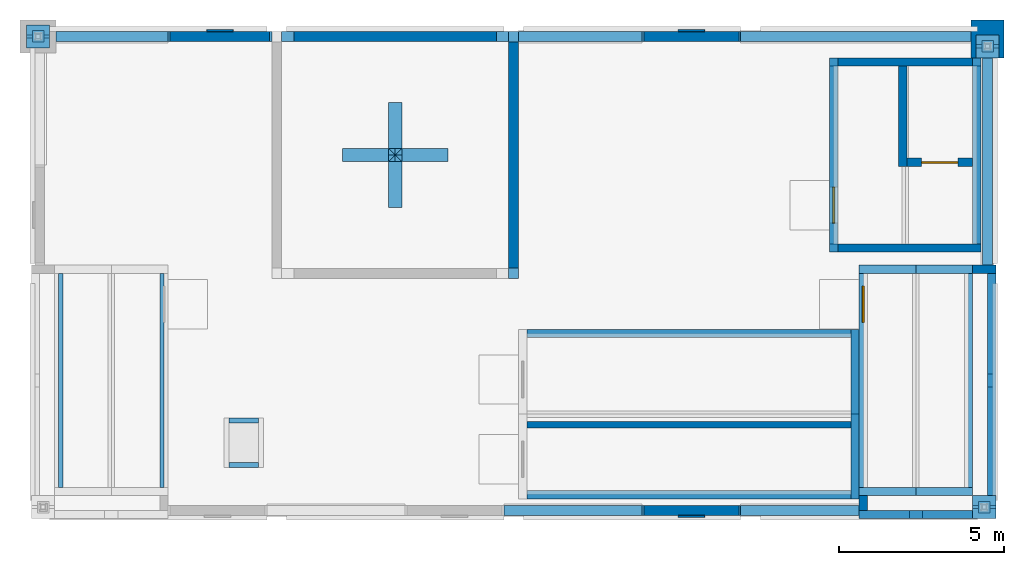
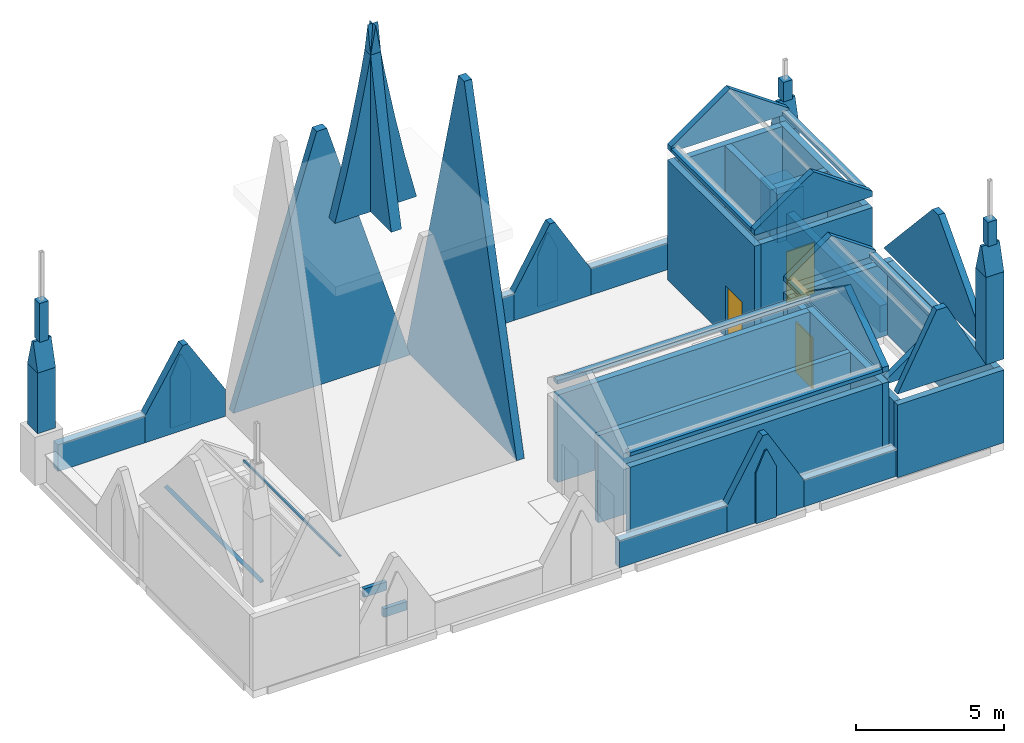
# One storey, part 4 of 10: 55 walls, 3 doors, 2 discrete accessories, 3 openings.
"""IFC4 building model written with IfcOpenShell, lengths in metres."""

from ifc_helpers import new_model, si_unit, direction, frame, frame_2d, origin, place, context, subcontext, project, spatial, polyline, rectangle, outline, extrude, material, layer, layer_set, type_object, element, fill, save


model = new_model("IFC4")

# Units and contexts
model_context = context("Model", 3, precision=1e-05, world=origin(), true_north=direction((0.0, 1.0)))
body_context = subcontext(model_context, "Body", "Model", "MODEL_VIEW")
ifc_project = project(units=[si_unit("LENGTHUNIT", "METRE"), si_unit("AREAUNIT", "SQUARE_METRE"), si_unit("VOLUMEUNIT", "CUBIC_METRE"), si_unit("PLANEANGLEUNIT", "RADIAN"), si_unit("MASSUNIT", "GRAM", prefix="KILO")], contexts=[model_context])

# Site, building, storey
site_placement = place(None, origin())
site = spatial("IfcSite", under=ifc_project, at=site_placement, CompositionType="ELEMENT")
building_placement = place(site_placement, origin())
building = spatial("IfcBuilding", under=site, at=building_placement, Name="Silangan Lancet Faculty of Sciences", CompositionType="ELEMENT")
storey_placement = place(building_placement, frame((0.0, 0.0, 81.300048828125)))
storey = spatial("IfcBuildingStorey", under=building, at=storey_placement, Name="ROOF", CompositionType="ELEMENT", Elevation=81.300048828125)

# Walls
ifc_material_1 = material(Name="Concrete C35/45", Category="concrete")
ifc_layer_1 = layer(ifc_material_1, 0.300048828125)
ifc_layer_set_1 = layer_set([ifc_layer_1], Name="Concrete C35/45")
wall_type_1 = type_object("IfcWallType", Name="Crossing gable wall 300 north-south", PredefinedType="STANDARD", material=ifc_layer_set_1)
wall_1_placement = place(storey_placement, frame((7.35009765625, 14.39990234375, 0.0), z_axis=(0.0, 0.0, 1.0), x_axis=(1.0, 0.0, 0.0)))
element("IfcWall", 1, at=wall_1_placement, inside=storey, type_object=wall_type_1, Name="Crossing gable ST north", PredefinedType="STANDARD", context=body_context, shape_type="SweptSolid", body=[
    extrude(outline(polyline([(0.0, 0.0), (6.89990234375, 0.0), (3.64990234375, 10.5), (3.25, 10.5), (0.0, 0.0)])), frame((0.0, 0.14990234375, 0.0), z_axis=(0.0, -1.0, 0.0), x_axis=(1.0, 0.0, 0.0)), (0.0, 0.0, 1.0), 0.300048828125),
])
ifc_material_2 = material(Name="Concrete C35/45", Category="concrete")
ifc_layer_2 = layer(ifc_material_2, 0.300048828125)
ifc_layer_set_2 = layer_set([ifc_layer_2], Name="Concrete C35/45")
wall_type_2 = type_object("IfcWallType", Name="Crossing gable wall 300 west-east", PredefinedType="STANDARD", material=ifc_layer_set_2)
wall_2_placement = place(storey_placement, frame((14.39990234375, 7.050048828125, 0.0), z_axis=(0.0, 0.0, 1.0), x_axis=(0.0, 1.0, 0.0)))
element("IfcWall", 2, at=wall_2_placement, inside=storey, type_object=wall_type_2, Name="Crossing gable ST east", PredefinedType="STANDARD", context=body_context, shape_type="SweptSolid", body=[
    extrude(outline(polyline([(0.0, 0.0), (7.5, 0.0), (3.949951171875, 13.5), (3.550048828125, 13.5), (0.0, 0.0)])), frame((0.0, 0.14990234375, 0.0), z_axis=(0.0, -1.0, 0.0), x_axis=(1.0, 0.0, 0.0)), (0.0, 0.0, 1.0), 0.300048828125),
])
ifc_material_3 = material(Name="Concrete C35/45 precast", Category="concrete")
ifc_layer_3 = layer(ifc_material_3, 0.39990234375)
ifc_layer_set_3 = layer_set([ifc_layer_3], Name="Concrete C35/45 precast")
wall_type_3 = type_object("IfcWallType", Name="Crown spire blade 400", PredefinedType="STANDARD", material=ifc_layer_set_3)
for number, where, z_axis, x_axis, name in (
    (3, (9.199951171875, 10.800048828125, 9.39990234375), (0.0, 0.0, 1.0), (1.0, 0.0, 0.0), "Crown spire blade ST X"),
    (4, (10.800048828125, 9.199951171875, 9.39990234375), (0.0, 0.0, 1.0), (0.0, 1.0, 0.0), "Crown spire blade ST Y"),
):
    element("IfcWall", number, at=place(storey_placement, frame(where, z_axis=z_axis, x_axis=x_axis)), inside=storey, type_object=wall_type_3, Name=name, PredefinedType="STANDARD", context=body_context, shape_type="SweptSolid", body=[
        extrude(outline(polyline([(0.0, 0.0), (3.199951171875, 0.0), (2.75, 1.800048828125), (2.35009765625, 3.60009765625), (1.949951171875, 5.60009765625), (1.60009765625, 7.60009765625), (1.25, 5.60009765625), (0.85009765625, 3.60009765625), (0.449951171875, 1.800048828125), (0.0, 0.0)])), frame((0.0, 0.199951171875, 0.0), z_axis=(0.0, -1.0, 0.0), x_axis=(1.0, 0.0, 0.0)), (0.0, 0.0, 1.0), 0.39990234375),
    ])
ifc_material_4 = material(Name="Concrete C35/45", Category="concrete")
ifc_layer_4 = layer(ifc_material_4, 0.14990234375)
ifc_layer_set_4 = layer_set([ifc_layer_4], Name="Concrete C35/45")
wall_type_4 = type_object("IfcWallType", Name="Hatch upstand 150", PredefinedType="STANDARD", material=ifc_layer_set_4)
for number, where, z_axis, x_axis, name in (
    (5, (5.75, 1.375, 0.0), (0.0, 0.0, 1.0), (1.0, 0.0, 0.0), "Hatch upstand wall ST S"),
    (6, (5.75, 2.72509765625, 0.0), (0.0, 0.0, 1.0), (1.0, 0.0, 0.0), "Hatch upstand wall ST N"),
):
    element("IfcWall", number, at=place(storey_placement, frame(where, z_axis=z_axis, x_axis=x_axis)), inside=storey, type_object=wall_type_4, Name=name, PredefinedType="STANDARD", context=body_context, shape_type="SweptSolid", body=[
        extrude(rectangle(XDim=0.89990234375, YDim=0.14990234375, at=frame_2d((0.449951171875, 0.0))), origin(), (0.0, 0.0, 1.0), 0.349853515625),
    ])
ifc_material_5 = material(Name="Concrete C35/45", Category="concrete")
ifc_layer_5 = layer(ifc_material_5, 0.25)
ifc_layer_set_5 = layer_set([ifc_layer_5], Name="Concrete C35/45")
wall_type_5 = type_object("IfcWallType", Name="Head-house eave sill 250", PredefinedType="STANDARD", material=ifc_layer_set_5)
for number, where, z_axis, x_axis, name in (
    (7, (25.02490234375, 0.699951171875, 3.449951171875), (0.0, 0.0, 1.0), (0.0, 1.0, 0.0), "Head-house ST-B eave sill W"),
    (8, (28.22509765625, 0.699951171875, 3.449951171875), (0.0, 0.0, 1.0), (0.0, 1.0, 0.0), "Head-house ST-B eave sill E"),
):
    element("IfcWall", number, at=place(storey_placement, frame(where, z_axis=z_axis, x_axis=x_axis)), inside=storey, type_object=wall_type_5, Name=name, PredefinedType="STANDARD", context=body_context, shape_type="SweptSolid", body=[
        extrude(rectangle(XDim=6.5, YDim=0.25, at=frame_2d((3.25, 0.0))), origin(), (0.0, 0.0, 1.0), 0.14990234375),
    ])
for number, where, z_axis, x_axis, name in (
    (9, (24.125, 8.10009765625, 5.39990234375), (0.0, 0.0, 1.0), (0.0, 1.0, 0.0), "Head-house ST-P eave sill W"),
    (10, (28.47509765625, 8.10009765625, 5.39990234375), (0.0, 0.0, 1.0), (0.0, 1.0, 0.0), "Head-house ST-P eave sill E"),
):
    element("IfcWall", number, at=place(storey_placement, frame(where, z_axis=z_axis, x_axis=x_axis)), inside=storey, type_object=wall_type_5, Name=name, PredefinedType="STANDARD", context=body_context, shape_type="SweptSolid", body=[
        extrude(rectangle(XDim=5.39990234375, YDim=0.25, at=frame_2d((2.699951171875, 0.0))), origin(), (0.0, 0.0, 1.0), 0.150146484375),
    ])
for number, where, z_axis, x_axis, name in (
    (11, (14.800048828125, 0.47509765625, 4.050048828125), (0.0, 0.0, 1.0), (1.0, 0.0, 0.0), "Head-house ST-PL eave sill S"),
    (12, (14.800048828125, 5.375, 4.050048828125), (0.0, 0.0, 1.0), (1.0, 0.0, 0.0), "Head-house ST-PL eave sill N"),
):
    element("IfcWall", number, at=place(storey_placement, frame(where, z_axis=z_axis, x_axis=x_axis)), inside=storey, type_object=wall_type_5, Name=name, PredefinedType="STANDARD", context=body_context, shape_type="SweptSolid", body=[
        extrude(rectangle(XDim=9.849853515625, YDim=0.25, at=frame_2d((4.9248046875, 0.0))), origin(), (0.0, 0.0, 1.0), 0.14990234375),
    ])
ifc_material_6 = material(Name="Concrete C35/45", Category="concrete")
ifc_layer_6 = layer(ifc_material_6, 0.25)
ifc_layer_set_6 = layer_set([ifc_layer_6], Name="Concrete C35/45")
wall_type_6 = type_object("IfcWallType", Name="Head-house gable 250", PredefinedType="STANDARD", material=ifc_layer_set_6)
wall_3_placement = place(storey_placement, frame((28.925048828125, 0.449951171875, 3.449951171875), z_axis=(0.0, 0.0, 1.0), x_axis=(0.0, 1.0, 0.0)))
element("IfcWall", 13, at=wall_3_placement, inside=storey, type_object=wall_type_6, Name="Head-house ST-B gable E", PredefinedType="STANDARD", context=body_context, shape_type="SweptSolid", body=[
    extrude(outline(polyline([(0.0, 0.0), (7.0, 0.0), (3.699951171875, 3.60009765625), (3.300048828125, 3.60009765625), (0.0, 0.0)])), frame((0.0, 0.125, 0.0), z_axis=(0.0, -1.0, 0.0), x_axis=(1.0, 0.0, 0.0)), (0.0, 0.0, 1.0), 0.25),
])
wall_4_placement = place(storey_placement, frame((24.89990234375, -0.125, 3.449951171875), z_axis=(0.0, 0.0, 1.0), x_axis=(1.0, 0.0, 0.0)))
element("IfcWall", 14, at=wall_4_placement, inside=storey, type_object=wall_type_6, Name="Head-house ST-B gable S", PredefinedType="STANDARD", context=body_context, shape_type="SweptSolid", body=[
    extrude(outline(polyline([(0.0, 0.0), (3.449951171875, 0.0), (1.925048828125, 2.9326171875), (1.52490234375, 2.9326171875), (0.0, 0.0)])), frame((0.0, 0.125, 0.0), z_axis=(0.0, -1.0, 0.0), x_axis=(1.0, 0.0, 0.0)), (0.0, 0.0, 1.0), 0.25),
])
ifc_material_7 = material(Name="Concrete C35/45", Category="concrete")
ifc_layer_7 = layer(ifc_material_7, 0.25)
ifc_layer_set_7 = layer_set([ifc_layer_7], Name="Concrete C35/45")
wall_type_7 = type_object("IfcWallType", Name="Head-house gable infill 250", PredefinedType="STANDARD", material=ifc_layer_set_7)
for number, where, z_axis, x_axis, name in (
    (15, (24.89990234375, 0.574951171875, 3.449951171875), (0.0, 0.0, 1.0), (1.0, 0.0, 0.0), "Head-house ST-B gable infill 1"),
    (16, (24.89990234375, 7.324951171875, 3.449951171875), (0.0, 0.0, 1.0), (1.0, 0.0, 0.0), "Head-house ST-B gable infill 2"),
):
    element("IfcWall", number, at=place(storey_placement, frame(where, z_axis=z_axis, x_axis=x_axis)), inside=storey, type_object=wall_type_7, Name=name, PredefinedType="STANDARD", context=body_context, shape_type="SweptSolid", body=[
        extrude(outline(polyline([(0.0, 0.0), (3.449951171875, 0.0), (3.449951171875, 0.208984375), (1.72509765625, 1.41650390625), (0.0, 0.208984375), (0.0, 0.0)])), frame((0.0, 0.125, 0.0), z_axis=(0.0, -1.0, 0.0), x_axis=(1.0, 0.0, 0.0)), (0.0, 0.0, 1.0), 0.25),
    ])
for number, where, z_axis, x_axis, name in (
    (17, (24.0, 7.97509765625, 5.39990234375), (0.0, 0.0, 1.0), (1.0, 0.0, 0.0), "Head-house ST-P gable infill 1"),
    (18, (24.0, 13.625, 5.39990234375), (0.0, 0.0, 1.0), (1.0, 0.0, 0.0), "Head-house ST-P gable infill 2"),
):
    element("IfcWall", number, at=place(storey_placement, frame(where, z_axis=z_axis, x_axis=x_axis)), inside=storey, type_object=wall_type_7, Name=name, PredefinedType="STANDARD", context=body_context, shape_type="SweptSolid", body=[
        extrude(outline(polyline([(0.0, 0.0), (4.60009765625, 0.0), (4.60009765625, 0.208984375), (2.300048828125, 1.819091796875), (0.0, 0.208984375), (0.0, 0.0)])), frame((0.0, 0.125, 0.0), z_axis=(0.0, -1.0, 0.0), x_axis=(1.0, 0.0, 0.0)), (0.0, 0.0, 1.0), 0.25),
    ])
wall_5_placement = place(storey_placement, frame((24.77490234375, 0.35009765625, 4.050048828125), z_axis=(0.0, 0.0, 1.0), x_axis=(0.0, 1.0, 0.0)))
element("IfcWall", 19, at=wall_5_placement, inside=storey, type_object=wall_type_7, Name="Head-house ST-PL gable infill 2", PredefinedType="STANDARD", context=body_context, shape_type="SweptSolid", body=[
    extrude(outline(polyline([(0.0, 0.0), (5.14990234375, 0.0), (5.14990234375, 0.208984375), (2.574951171875, 2.011474609375), (0.0, 0.208984375), (0.0, 0.0)])), frame((0.0, 0.125, 0.0), z_axis=(0.0, -1.0, 0.0), x_axis=(1.0, 0.0, 0.0)), (0.0, 0.0, 1.0), 0.25),
])
ifc_material_8 = material(Name="Concrete C35/45", Category="concrete")
ifc_layer_8 = layer(ifc_material_8, 0.25)
ifc_layer_set_8 = layer_set([ifc_layer_8], Name="Concrete C35/45")
wall_type_8 = type_object("IfcWallType", Name="Head-house wall 250", PredefinedType="STANDARD", material=ifc_layer_set_8)
for number, where, z_axis, x_axis, name in (
    (20, (24.89990234375, -0.125, 0.0), (0.0, 0.0, 1.0), (1.0, 0.0, 0.0), "Head-house ST-B south wall"),
    (21, (24.89990234375, 7.324951171875, 0.0), (0.0, 0.0, 1.0), (1.0, 0.0, 0.0), "Head-house ST-B north wall"),
):
    element("IfcWall", number, at=place(storey_placement, frame(where, z_axis=z_axis, x_axis=x_axis)), inside=storey, type_object=wall_type_8, Name=name, PredefinedType="STANDARD", context=body_context, shape_type="SweptSolid", body=[
        extrude(rectangle(XDim=4.150146484375, YDim=0.25, at=frame_2d((2.0751953125, 0.0))), origin(), (0.0, 0.0, 1.0), 3.0),
    ])

# Wall, opening, door
wall_6_placement = place(storey_placement, frame((25.02490234375, 0.0, 0.0), z_axis=(0.0, 0.0, 1.0), x_axis=(0.0, 1.0, 0.0)))
wall_6 = element("IfcWall", 22, at=wall_6_placement, inside=storey, type_object=wall_type_8, Name="Head-house ST-B west wall", PredefinedType="STANDARD", context=body_context, shape_type="SweptSolid", body=[
    extrude(rectangle(XDim=7.199951171875, YDim=0.25, at=frame_2d((3.60009765625, 0.0))), origin(), (0.0, 0.0, 1.0), 3.0),
])
opening_1_placement = place(wall_6_placement, frame((5.71240234375, 0.0, 0.02001953125)))
opening_1 = element("IfcOpeningElement", 23, at=opening_1_placement, cuts=wall_6, Name="Opening ROOF-902", PredefinedType="OPENING", context=body_context, shape_type="SweptSolid", body=[
    extrude(rectangle(XDim=1.10009765625, YDim=2.10009765625, at=frame_2d((0.550048828125, 1.050048828125))), frame((0.0, 0.135009765625, 0.0), z_axis=(0.0, -1.0, 0.0), x_axis=(1.0, 0.0, 0.0)), (0.0, 0.0, 1.0), 0.27001953125),
])
ifc_material_9 = material(Name="Steel fire door", Category="steel")
door_type_1 = type_object("IfcDoorType", Name="DR1 Roof exit door 1100x2100", OperationType="SINGLE_SWING_LEFT", PredefinedType="DOOR", material=ifc_material_9)
door_1_placement = place(opening_1_placement, origin())
door_1 = element("IfcDoor", 24, at=door_1_placement, inside=storey, type_object=door_type_1, Name="Roof exit door ST-B", OperationType="SINGLE_SWING_RIGHT", OverallHeight=2.10009765625, OverallWidth=1.10009765625, PredefinedType="DOOR", context=body_context, shape_type="SweptSolid", body=[
    extrude(rectangle(XDim=1.10009765625, YDim=2.10009765625, at=frame_2d((0.550048828125, 1.050048828125))), frame((0.0, 0.02490234375, 0.0), z_axis=(0.0, -1.0, 0.0), x_axis=(1.0, 0.0, 0.0)), (0.0, 0.0, 1.0), 0.050048828125),
])
fill(opening_1, door_1)

# Walls
wall_7_placement = place(storey_placement, frame((28.925048828125, 0.0, 0.0), z_axis=(0.0, 0.0, 1.0), x_axis=(0.0, 1.0, 0.0)))
element("IfcWall", 25, at=wall_7_placement, inside=storey, type_object=wall_type_8, Name="Head-house ST-B east wall", PredefinedType="STANDARD", context=body_context, shape_type="SweptSolid", body=[
    extrude(rectangle(XDim=7.199951171875, YDim=0.25, at=frame_2d((3.60009765625, 0.0))), origin(), (0.0, 0.0, 1.0), 3.0),
])
ifc_material_10 = material(Name="Concrete C35/45", Category="concrete")
ifc_layer_9 = layer(ifc_material_10, 0.25)
ifc_layer_set_9 = layer_set([ifc_layer_9], Name="Concrete C35/45")
wall_type_9 = type_object("IfcWallType", Name="Lift pavilion wall 250", PredefinedType="STANDARD", material=ifc_layer_set_9)
wall_8_placement = place(storey_placement, frame((24.25, 13.625, 0.0), z_axis=(0.0, 0.0, 1.0), x_axis=(1.0, 0.0, 0.0)))
element("IfcWall", 26, at=wall_8_placement, inside=storey, type_object=wall_type_9, Name="Lift pavilion ST back wall", PredefinedType="STANDARD", context=body_context, shape_type="SweptSolid", body=[
    extrude(rectangle(XDim=4.10009765625, YDim=0.25, at=frame_2d((2.050048828125, 0.0))), origin(), (0.0, 0.0, 1.0), 4.949951171875),
])

# Wall, opening, door
wall_9_placement = place(storey_placement, frame((24.125, 7.85009765625, 0.0), z_axis=(0.0, 0.0, 1.0), x_axis=(0.0, 1.0, 0.0)))
wall_9 = element("IfcWall", 27, at=wall_9_placement, inside=storey, type_object=wall_type_9, Name="Lift pavilion ST west wall", PredefinedType="STANDARD", context=body_context, shape_type="SweptSolid", body=[
    extrude(rectangle(XDim=5.89990234375, YDim=0.25, at=frame_2d((2.949951171875, 0.0))), origin(), (0.0, 0.0, 1.0), 4.949951171875),
])
opening_2_placement = place(wall_9_placement, frame((0.875, 0.0, 0.02001953125)))
opening_2 = element("IfcOpeningElement", 28, at=opening_2_placement, cuts=wall_9, Name="Opening ROOF-903", PredefinedType="OPENING", context=body_context, shape_type="SweptSolid", body=[
    extrude(rectangle(XDim=1.10009765625, YDim=2.10009765625, at=frame_2d((0.550048828125, 1.050048828125))), frame((0.0, 0.135009765625, 0.0), z_axis=(0.0, -1.0, 0.0), x_axis=(1.0, 0.0, 0.0)), (0.0, 0.0, 1.0), 0.27001953125),
])
door_2_placement = place(opening_2_placement, origin())
door_2 = element("IfcDoor", 29, at=door_2_placement, inside=storey, type_object=door_type_1, Name="Roof exit door ST-P", OperationType="SINGLE_SWING_LEFT", OverallHeight=2.10009765625, OverallWidth=1.10009765625, PredefinedType="DOOR", context=body_context, shape_type="SweptSolid", body=[
    extrude(rectangle(XDim=1.10009765625, YDim=2.10009765625, at=frame_2d((0.550048828125, 1.050048828125))), frame((0.0, 0.02490234375, 0.0), z_axis=(0.0, -1.0, 0.0), x_axis=(1.0, 0.0, 0.0)), (0.0, 0.0, 1.0), 0.050048828125),
])
fill(opening_2, door_2)

# Walls
wall_10_placement = place(storey_placement, frame((28.47509765625, 8.10009765625, 0.0), z_axis=(0.0, 0.0, 1.0), x_axis=(0.0, 1.0, 0.0)))
element("IfcWall", 30, at=wall_10_placement, inside=storey, type_object=wall_type_9, Name="Lift pavilion ST east wall", PredefinedType="STANDARD", context=body_context, shape_type="SweptSolid", body=[
    extrude(rectangle(XDim=5.64990234375, YDim=0.25, at=frame_2d((2.824951171875, 0.0))), origin(), (0.0, 0.0, 1.0), 4.949951171875),
])
wall_11_placement = place(storey_placement, frame((24.25, 7.97509765625, 0.0), z_axis=(0.0, 0.0, 1.0), x_axis=(1.0, 0.0, 0.0)))
element("IfcWall", 31, at=wall_11_placement, inside=storey, type_object=wall_type_9, Name="Lift pavilion ST far wall", PredefinedType="STANDARD", context=body_context, shape_type="SweptSolid", body=[
    extrude(rectangle(XDim=4.35009765625, YDim=0.25, at=frame_2d((2.175048828125, 0.0))), origin(), (0.0, 0.0, 1.0), 4.949951171875),
])
wall_12_placement = place(storey_placement, frame((26.22509765625, 10.449951171875, 0.0), z_axis=(0.0, 0.0, 1.0), x_axis=(0.0, 1.0, 0.0)))
element("IfcWall", 32, at=wall_12_placement, inside=storey, type_object=wall_type_9, Name="Lift pavilion ST shaft west wall", PredefinedType="STANDARD", context=body_context, shape_type="SweptSolid", body=[
    extrude(rectangle(XDim=3.050048828125, YDim=0.25, at=frame_2d((1.52490234375, 0.0))), origin(), (0.0, 0.0, 1.0), 4.949951171875),
])

# Wall, opening, door
wall_13_placement = place(storey_placement, frame((26.35009765625, 10.574951171875, 0.0), z_axis=(0.0, 0.0, 1.0), x_axis=(1.0, 0.0, 0.0)))
wall_13 = element("IfcWall", 33, at=wall_13_placement, inside=storey, type_object=wall_type_9, Name="Lift pavilion ST shaft front wall", PredefinedType="STANDARD", context=body_context, shape_type="SweptSolid", body=[
    extrude(rectangle(XDim=2.0, YDim=0.25, at=frame_2d((1.0, 0.0))), origin(), (0.0, 0.0, 1.0), 4.949951171875),
])
opening_3_placement = place(wall_13_placement, frame((0.449951171875, 0.0, 0.0)))
opening_3 = element("IfcOpeningElement", 34, at=opening_3_placement, cuts=wall_13, Name="Opening ROOF-801", PredefinedType="OPENING", context=body_context, shape_type="SweptSolid", body=[
    extrude(rectangle(XDim=1.10009765625, YDim=2.10009765625, at=frame_2d((0.550048828125, 1.050048828125))), frame((0.0, 0.135009765625, 0.0), z_axis=(0.0, -1.0, 0.0), x_axis=(1.0, 0.0, 0.0)), (0.0, 0.0, 1.0), 0.27001953125),
])
ifc_material_11 = material(Name="Stainless steel sliding door", Category="steel")
door_type_2 = type_object("IfcDoorType", Name="LD1 Lift landing door 1100x2100", OperationType="SLIDING_TO_LEFT", PredefinedType="DOOR", material=ifc_material_11)
door_3_placement = place(opening_3_placement, origin())
door_3 = element("IfcDoor", 35, at=door_3_placement, inside=storey, type_object=door_type_2, Name="Landing door ST-L3 ROOF", OperationType="SLIDING_TO_LEFT", OverallHeight=2.10009765625, OverallWidth=1.10009765625, PredefinedType="DOOR", context=body_context, shape_type="SweptSolid", body=[
    extrude(rectangle(XDim=1.10009765625, YDim=2.10009765625, at=frame_2d((0.550048828125, 1.050048828125))), frame((0.0, 0.02490234375, 0.0), z_axis=(0.0, -1.0, 0.0), x_axis=(1.0, 0.0, 0.0)), (0.0, 0.0, 1.0), 0.050048828125),
])
fill(opening_3, door_3)

# Walls
ifc_material_12 = material(Name="Concrete C35/45", Category="concrete")
ifc_layer_10 = layer(ifc_material_12, 0.300048828125)
ifc_layer_set_10 = layer_set([ifc_layer_10], Name="Concrete C35/45")
wall_type_10 = type_object("IfcWallType", Name="Parapet gable 300", PredefinedType="PARAPET", material=ifc_layer_set_10)
wall_14_placement = place(storey_placement, frame((18.300048828125, 0.0, 0.0), z_axis=(0.0, 0.0, 1.0), x_axis=(1.0, 0.0, 0.0)))
element("IfcWall", 36, at=wall_14_placement, inside=storey, type_object=wall_type_10, Name="Parapet gable ST S6", PredefinedType="PARAPET", context=body_context, shape_type="SweptSolid", body=[
    extrude(outline(polyline([(0.0, 0.0), (3.0, 0.0), (3.0, 1.099853515625), (1.60009765625, 3.5), (1.39990234375, 3.5), (0.0, 1.099853515625), (0.0, 0.0)])), frame((0.0, 0.14990234375, 0.0), z_axis=(0.0, -1.0, 0.0), x_axis=(1.0, 0.0, 0.0)), (0.0, 0.0, 1.0), 0.300048828125),
])
wall_15_placement = place(storey_placement, frame((3.89990234375, 14.39990234375, 0.0), z_axis=(0.0, 0.0, 1.0), x_axis=(1.0, 0.0, 0.0)))
element("IfcWall", 37, at=wall_15_placement, inside=storey, type_object=wall_type_10, Name="Parapet gable ST N2", PredefinedType="PARAPET", context=body_context, shape_type="SweptSolid", body=[
    extrude(outline(polyline([(0.0, 0.0), (3.14990234375, 0.0), (3.14990234375, 1.099853515625), (1.675048828125, 3.5), (1.47509765625, 3.5), (0.0, 1.099853515625), (0.0, 0.0)])), frame((0.0, 0.14990234375, 0.0), z_axis=(0.0, -1.0, 0.0), x_axis=(1.0, 0.0, 0.0)), (0.0, 0.0, 1.0), 0.300048828125),
])
wall_16_placement = place(storey_placement, frame((18.300048828125, 14.39990234375, 0.0), z_axis=(0.0, 0.0, 1.0), x_axis=(1.0, 0.0, 0.0)))
element("IfcWall", 38, at=wall_16_placement, inside=storey, type_object=wall_type_10, Name="Parapet gable ST N6", PredefinedType="PARAPET", context=body_context, shape_type="SweptSolid", body=[
    extrude(outline(polyline([(0.0, 0.0), (3.0, 0.0), (3.0, 1.099853515625), (1.60009765625, 3.5), (1.39990234375, 3.5), (0.0, 1.099853515625), (0.0, 0.0)])), frame((0.0, 0.14990234375, 0.0), z_axis=(0.0, -1.0, 0.0), x_axis=(1.0, 0.0, 0.0)), (0.0, 0.0, 1.0), 0.300048828125),
])
ifc_material_13 = material(Name="Concrete C35/45 precast", Category="concrete")
ifc_layer_11 = layer(ifc_material_13, 0.06005859375)
ifc_layer_set_11 = layer_set([ifc_layer_11], Name="Concrete C35/45 precast")
wall_type_11 = type_object("IfcWallType", Name="Parapet gable lancet panel 60", PredefinedType="STANDARD", material=ifc_layer_set_11)
for number, where, z_axis, x_axis, name in (
    (39, (19.39990234375, -0.179931640625, 0.0), (0.0, 0.0, 1.0), (1.0, 0.0, 0.0), "Gable lancet panel ST S6"),
    (40, (5.074951171875, 14.580078125, 0.0), (0.0, 0.0, 1.0), (1.0, 0.0, 0.0), "Gable lancet panel ST N2"),
    (41, (19.39990234375, 14.580078125, 0.0), (0.0, 0.0, 1.0), (1.0, 0.0, 0.0), "Gable lancet panel ST N6"),
):
    element("IfcWall", number, at=place(storey_placement, frame(where, z_axis=z_axis, x_axis=x_axis)), inside=storey, type_object=wall_type_11, Name=name, PredefinedType="STANDARD", context=body_context, shape_type="SweptSolid", body=[
        extrude(outline(polyline([(0.0, 0.0), (0.800048828125, 0.0), (0.800048828125, 2.099853515625), (0.43994140625, 2.89990234375), (0.360107421875, 2.89990234375), (0.0, 2.099853515625), (0.0, 0.0)])), frame((0.0, 0.030029296875, 0.0), z_axis=(0.0, -1.0, 0.0), x_axis=(1.0, 0.0, 0.0)), (0.0, 0.0, 1.0), 0.06005859375),
    ])
ifc_material_14 = material(Name="Concrete C35/45", Category="concrete")
ifc_layer_12 = layer(ifc_material_14, 1.0)
ifc_layer_set_12 = layer_set([ifc_layer_12], Name="Concrete C35/45")
wall_type_12 = type_object("IfcWallType", Name="Pinnacle buttress stage 1 1000", PredefinedType="PARAPET", material=ifc_layer_set_12)
wall_17_placement = place(storey_placement, frame((28.800048828125, 13.75, 0.0), z_axis=(0.0, 0.0, 1.0), x_axis=(0.0, 1.0, 0.0)))
element("IfcWall", 42, at=wall_17_placement, inside=storey, type_object=wall_type_12, Name="Pinnacle buttress ST NE stage 1", PredefinedType="PARAPET", context=body_context, shape_type="SweptSolid", body=[
    extrude(rectangle(XDim=1.14990234375, YDim=1.0, at=frame_2d((0.574951171875, 0.0))), origin(), (0.0, 0.0, 1.0), 2.0),
])
ifc_material_15 = material(Name="Concrete C35/45", Category="concrete")
ifc_layer_13 = layer(ifc_material_15, 0.699951171875)
ifc_layer_set_13 = layer_set([ifc_layer_13], Name="Concrete C35/45")
wall_type_13 = type_object("IfcWallType", Name="Pinnacle buttress stage 2 700", PredefinedType="STANDARD", material=ifc_layer_set_13)
for number, where, z_axis, x_axis, name in (
    (43, (-0.050048828125, 14.050048828125, 2.0), (0.0, 0.0, 1.0), (0.0, 1.0, 0.0), "Pinnacle buttress ST NW stage 2"),
    (44, (28.800048828125, 13.75, 2.0), (0.0, 0.0, 1.0), (0.0, 1.0, 0.0), "Pinnacle buttress ST NE stage 2"),
):
    element("IfcWall", number, at=place(storey_placement, frame(where, z_axis=z_axis, x_axis=x_axis)), inside=storey, type_object=wall_type_13, Name=name, PredefinedType="STANDARD", context=body_context, shape_type="SweptSolid", body=[
        extrude(rectangle(XDim=0.699951171875, YDim=0.699951171875, at=frame_2d((0.35009765625, 0.0))), origin(), (0.0, 0.0, 1.0), 2.5),
    ])
ifc_material_16 = material(Name="Concrete C35/45", Category="concrete")
ifc_layer_14 = layer(ifc_material_16, 0.699951171875)
ifc_layer_set_14 = layer_set([ifc_layer_14], Name="Concrete C35/45")
wall_type_14 = type_object("IfcWallType", Name="Pinnacle buttress stage 2 700 x 3600", PredefinedType="STANDARD", material=ifc_layer_set_14)
wall_18_placement = place(storey_placement, frame((28.699951171875, -0.25, 3.449951171875), z_axis=(0.0, 0.0, 1.0), x_axis=(0.0, 1.0, 0.0)))
element("IfcWall", 45, at=wall_18_placement, inside=storey, type_object=wall_type_14, Name="Pinnacle buttress ST SE stage 2", PredefinedType="STANDARD", context=body_context, shape_type="SweptSolid", body=[
    extrude(rectangle(XDim=0.699951171875, YDim=0.699951171875, at=frame_2d((0.35009765625, 0.0))), origin(), (0.0, 0.0, 1.0), 3.60009765625),
])
ifc_material_17 = material(Name="Concrete C35/45", Category="concrete")
ifc_layer_15 = layer(ifc_material_17, 0.699951171875)
ifc_layer_set_15 = layer_set([ifc_layer_15], Name="Concrete C35/45")
wall_type_15 = type_object("IfcWallType", Name="Pinnacle gabled cap 700", PredefinedType="STANDARD", material=ifc_layer_set_15)
for number, where, z_axis, x_axis, name in (
    (46, (28.699951171875, -0.25, 7.050048828125), (0.0, 0.0, 1.0), (0.0, 1.0, 0.0), "Pinnacle gabled cap ST SE"),
    (47, (-0.050048828125, 14.050048828125, 4.5), (0.0, 0.0, 1.0), (0.0, 1.0, 0.0), "Pinnacle gabled cap ST NW"),
    (48, (28.800048828125, 13.75, 4.5), (0.0, 0.0, 1.0), (0.0, 1.0, 0.0), "Pinnacle gabled cap ST NE"),
):
    element("IfcWall", number, at=place(storey_placement, frame(where, z_axis=z_axis, x_axis=x_axis)), inside=storey, type_object=wall_type_15, Name=name, PredefinedType="STANDARD", context=body_context, shape_type="SweptSolid", body=[
        extrude(outline(polyline([(0.0, 0.0), (0.699951171875, 0.0), (0.39990234375, 1.099853515625), (0.300048828125, 1.099853515625), (0.0, 0.0)])), frame((0.0, 0.35009765625, 0.0), z_axis=(0.0, -1.0, 0.0), x_axis=(1.0, 0.0, 0.0)), (0.0, 0.0, 1.0), 0.699951171875),
    ])
ifc_material_18 = material(Name="Concrete C35/45", Category="concrete")
ifc_layer_16 = layer(ifc_material_18, 0.35009765625)
ifc_layer_set_16 = layer_set([ifc_layer_16], Name="Concrete C35/45")
wall_type_16 = type_object("IfcWallType", Name="Pinnacle shaft 350", PredefinedType="STANDARD", material=ifc_layer_set_16)
wall_19_placement = place(storey_placement, frame((28.699951171875, -0.074951171875, 8.14990234375), z_axis=(0.0, 0.0, 1.0), x_axis=(0.0, 1.0, 0.0)))
element("IfcWall", 49, at=wall_19_placement, inside=storey, type_object=wall_type_16, Name="Pinnacle shaft ST SE", PredefinedType="STANDARD", context=body_context, shape_type="SweptSolid", body=[
    extrude(rectangle(XDim=0.349853515625, YDim=0.35009765625, at=frame_2d((0.1748046875, 0.0))), origin(), (0.0, 0.0, 1.0), 1.0),
])
wall_20_placement = place(storey_placement, frame((-0.050048828125, 14.224853515625, 5.599853515625), z_axis=(0.0, 0.0, 1.0), x_axis=(0.0, 1.0, 0.0)))
element("IfcWall", 50, at=wall_20_placement, inside=storey, type_object=wall_type_16, Name="Pinnacle shaft ST NW", PredefinedType="STANDARD", context=body_context, shape_type="SweptSolid", body=[
    extrude(rectangle(XDim=0.35009765625, YDim=0.35009765625, at=frame_2d((0.175048828125, 0.0))), origin(), (0.0, 0.0, 1.0), 1.60009765625),
])
wall_21_placement = place(storey_placement, frame((28.800048828125, 13.925048828125, 5.599853515625), z_axis=(0.0, 0.0, 1.0), x_axis=(0.0, 1.0, 0.0)))
element("IfcWall", 51, at=wall_21_placement, inside=storey, type_object=wall_type_16, Name="Pinnacle shaft ST NE", PredefinedType="STANDARD", context=body_context, shape_type="SweptSolid", body=[
    extrude(rectangle(XDim=0.349853515625, YDim=0.35009765625, at=frame_2d((0.1748046875, 0.0))), origin(), (0.0, 0.0, 1.0), 0.800048828125),
])
ifc_material_19 = material(Name="Hollow block masonry fm 7 MPa", Category="masonry")
ifc_layer_17 = layer(ifc_material_19, 0.199951171875)
ifc_layer_set_17 = layer_set([ifc_layer_17], Name="Hollow block masonry fm 7 MPa")
wall_type_17 = type_object("IfcWallType", Name="Plant pavilion partition 200", PredefinedType="PARTITIONING", material=ifc_layer_set_17)
wall_22_placement = place(storey_placement, frame((14.800048828125, 2.60009765625, 0.0), z_axis=(0.0, 0.0, 1.0), x_axis=(1.0, 0.0, 0.0)))
element("IfcWall", 52, at=wall_22_placement, inside=storey, type_object=wall_type_17, Name="Plant pavilion partition CHB 200", PredefinedType="PARTITIONING", context=body_context, shape_type="SweptSolid", body=[
    extrude(rectangle(XDim=9.849853515625, YDim=0.199951171875, at=frame_2d((4.9248046875, 0.0))), origin(), (0.0, 0.0, 1.0), 3.599853515625),
])
ifc_material_20 = material(Name="Concrete C35/45", Category="concrete")
ifc_layer_18 = layer(ifc_material_20, 0.25)
ifc_layer_set_18 = layer_set([ifc_layer_18], Name="Concrete C35/45")
wall_type_18 = type_object("IfcWallType", Name="Plant pavilion wall 250", PredefinedType="STANDARD", material=ifc_layer_set_18)
for number, where, z_axis, x_axis, name in (
    (53, (14.800048828125, 0.47509765625, 0.0), (0.0, 0.0, 1.0), (1.0, 0.0, 0.0), "Plant pavilion ST street wall"),
    (54, (14.800048828125, 5.375, 0.0), (0.0, 0.0, 1.0), (1.0, 0.0, 0.0), "Plant pavilion ST nave-side wall"),
):
    element("IfcWall", number, at=place(storey_placement, frame(where, z_axis=z_axis, x_axis=x_axis)), inside=storey, type_object=wall_type_18, Name=name, PredefinedType="STANDARD", context=body_context, shape_type="SweptSolid", body=[
        extrude(rectangle(XDim=9.849853515625, YDim=0.25, at=frame_2d((4.9248046875, 0.0))), origin(), (0.0, 0.0, 1.0), 3.599853515625),
    ])
wall_23_placement = place(storey_placement, frame((24.77490234375, 0.35009765625, 0.0), z_axis=(0.0, 0.0, 1.0), x_axis=(0.0, 1.0, 0.0)))
element("IfcWall", 55, at=wall_23_placement, inside=storey, type_object=wall_type_18, Name="Plant pavilion ST east wall", PredefinedType="STANDARD", context=body_context, shape_type="SweptSolid", body=[
    extrude(rectangle(XDim=5.14990234375, YDim=0.25, at=frame_2d((2.574951171875, 0.0))), origin(), (0.0, 0.0, 1.0), 3.599853515625),
])
ifc_material_21 = material(Name="Concrete C35/45", Category="concrete")
ifc_layer_19 = layer(ifc_material_21, 0.300048828125)
ifc_layer_set_19 = layer_set([ifc_layer_19], Name="Concrete C35/45")
wall_type_19 = type_object("IfcWallType", Name="Roof parapet 300", PredefinedType="PARAPET", material=ifc_layer_set_19)
wall_24_placement = place(storey_placement, frame((0.5, 14.39990234375, 0.0), z_axis=(0.0, 0.0, 1.0), x_axis=(1.0, 0.0, 0.0)))
element("IfcWall", 56, at=wall_24_placement, inside=storey, type_object=wall_type_19, Name="Roof parapet ST 2", PredefinedType="PARAPET", context=body_context, shape_type="SweptSolid", body=[
    extrude(rectangle(XDim=3.39990234375, YDim=0.300048828125, at=frame_2d((1.699951171875, 0.0))), origin(), (0.0, 0.0, 1.0), 1.099853515625),
])
wall_25_placement = place(storey_placement, frame((14.550048828125, 14.39990234375, 0.0), z_axis=(0.0, 0.0, 1.0), x_axis=(1.0, 0.0, 0.0)))
element("IfcWall", 57, at=wall_25_placement, inside=storey, type_object=wall_type_19, Name="Roof parapet ST 3", PredefinedType="PARAPET", context=body_context, shape_type="SweptSolid", body=[
    extrude(rectangle(XDim=3.75, YDim=0.300048828125, at=frame_2d((1.875, 0.0))), origin(), (0.0, 0.0, 1.0), 1.099853515625),
])
wall_26_placement = place(storey_placement, frame((21.300048828125, 14.39990234375, 0.0), z_axis=(0.0, 0.0, 1.0), x_axis=(1.0, 0.0, 0.0)))
element("IfcWall", 58, at=wall_26_placement, inside=storey, type_object=wall_type_19, Name="Roof parapet ST 4", PredefinedType="PARAPET", context=body_context, shape_type="SweptSolid", body=[
    extrude(rectangle(XDim=7.0, YDim=0.300048828125, at=frame_2d((3.5, 0.0))), origin(), (0.0, 0.0, 1.0), 1.099853515625),
])
wall_27_placement = place(storey_placement, frame((28.800048828125, 7.449951171875, 0.0), z_axis=(0.0, 0.0, 1.0), x_axis=(0.0, 1.0, 0.0)))
element("IfcWall", 59, at=wall_27_placement, inside=storey, type_object=wall_type_19, Name="Roof parapet ST 5", PredefinedType="PARAPET", context=body_context, shape_type="SweptSolid", body=[
    extrude(rectangle(XDim=6.300048828125, YDim=0.300048828125, at=frame_2d((3.14990234375, 0.0))), origin(), (0.0, 0.0, 1.0), 1.099853515625),
])
wall_28_placement = place(storey_placement, frame((14.10009765625, 0.0, 0.0), z_axis=(0.0, 0.0, 1.0), x_axis=(1.0, 0.0, 0.0)))
element("IfcWall", 60, at=wall_28_placement, inside=storey, type_object=wall_type_19, Name="Roof parapet ST 7", PredefinedType="PARAPET", context=body_context, shape_type="SweptSolid", body=[
    extrude(rectangle(XDim=4.199951171875, YDim=0.300048828125, at=frame_2d((2.10009765625, 0.0))), origin(), (0.0, 0.0, 1.0), 1.099853515625),
])
wall_29_placement = place(storey_placement, frame((21.300048828125, 0.0, 0.0), z_axis=(0.0, 0.0, 1.0), x_axis=(1.0, 0.0, 0.0)))
element("IfcWall", 61, at=wall_29_placement, inside=storey, type_object=wall_type_19, Name="Roof parapet ST 8", PredefinedType="PARAPET", context=body_context, shape_type="SweptSolid", body=[
    extrude(rectangle(XDim=3.599853515625, YDim=0.300048828125, at=frame_2d((1.7998046875, 0.0))), origin(), (0.0, 0.0, 1.0), 1.099853515625),
])

# Discrete accessories
ifc_material_22 = material(Name="Concrete C35/45 precast", Category="concrete")
for number, where, z_axis, x_axis, name in (
    (62, (0.574951171875, 0.699951171875, 3.599853515625), (0.0, 1.0, 0.0), (-1.0, 0.0, 0.0), "Head-house ST-A bedding wedge W"),
    (63, (3.77490234375, 7.199951171875, 3.599853515625), (0.0, -1.0, 0.0), (1.0, 0.0, 0.0), "Head-house ST-A bedding wedge E"),
):
    element("IfcDiscreteAccessory", number, at=place(storey_placement, frame(where, z_axis=z_axis, x_axis=x_axis)), inside=storey, material=ifc_material_22, Name=name, PredefinedType="BRACKET", context=body_context, shape_type="SweptSolid", body=[
        extrude(outline(polyline([(0.0, 0.0), (-0.125, 0.0), (-0.125, 0.08740234375), (0.0, 0.0)])), origin(), (0.0, 0.0, 1.0), 6.5),
    ])

save(model, "model.ifc")
